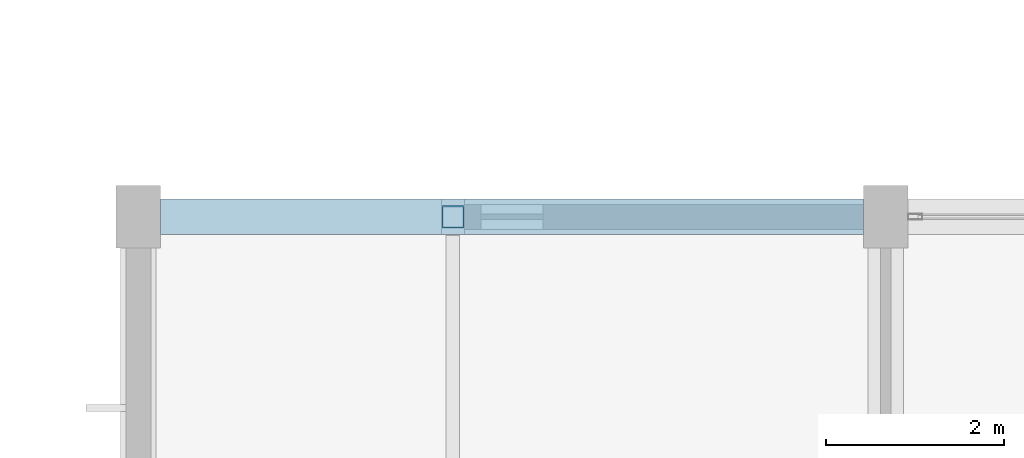
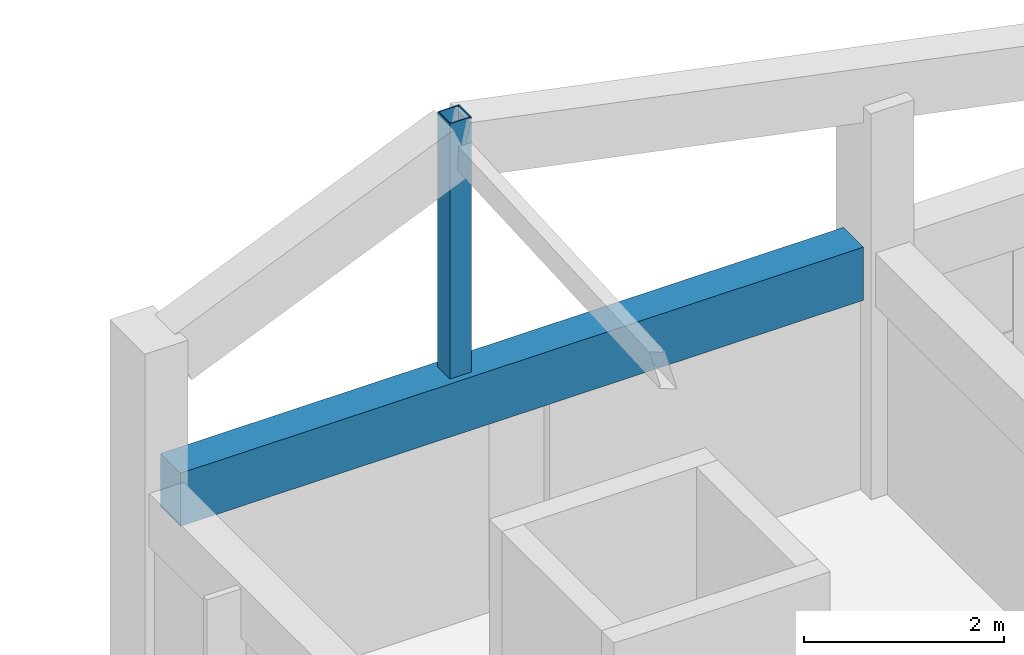
# One storey, part 11 of 127: 1 beam, 1 member.
"""IFC4 building model written with IfcOpenShell, lengths in metres."""

from ifc_helpers import new_model, si_unit, direction, frame, origin, origin_2d, place, context, subcontext, project, spatial, rectangle, hollow_rectangle, extrude, material, material_profile, profile_set, type_object, element, save


model = new_model("IFC4")

# Units and contexts
model_context = context("Model", 3, precision=1e-05, world=origin(), true_north=direction((0.0, 1.0)))
body_context = subcontext(model_context, "Body", "Model", "MODEL_VIEW")
ifc_project = project(units=[si_unit("LENGTHUNIT", "METRE"), si_unit("AREAUNIT", "SQUARE_METRE"), si_unit("VOLUMEUNIT", "CUBIC_METRE"), si_unit("PLANEANGLEUNIT", "RADIAN"), si_unit("MASSUNIT", "GRAM", prefix="KILO")], contexts=[model_context])

# Site, building, storey
site_placement = place(None, origin())
site = spatial("IfcSite", under=ifc_project, at=site_placement, CompositionType="ELEMENT")
building_placement = place(site_placement, origin())
building = spatial("IfcBuilding", under=site, at=building_placement, Name="Kestramere Prow Commons", CompositionType="ELEMENT")
storey_placement = place(building_placement, frame((0.0, 0.0, 8.39990234375)))
storey = spatial("IfcBuildingStorey", under=building, at=storey_placement, Name="L02", CompositionType="ELEMENT", Elevation=8.39990234375)

# Beam
ifc_material_1 = material(Name="Precast concrete C40/50", Category="concrete")
ifc_material_profile_1 = material_profile(ifc_material_1, rectangle(XDim=0.39990234375, YDim=0.64990234375, at=origin_2d()), Name="PC-BM 400x650")
ifc_profile_set_1 = profile_set([ifc_material_profile_1], Name="Precast concrete C40/50")
beam_type = type_object("IfcBeamType", Name="BM-MK-01 PC-BM 400x650 (EX)", PredefinedType="BEAM", material=ifc_profile_set_1)
beam_placement = place(storey_placement, frame((60.25, 24.0, 2.675048828125), z_axis=(1.0, 0.0, 0.0), x_axis=(0.0, 1.0, 0.0)))
element("IfcBeam", 1, at=beam_placement, inside=storey, type_object=beam_type, Name="Market Spine L02 Beam X 3-1", PredefinedType="BEAM", context=body_context, shape_type="SweptSolid", body=[
    extrude(rectangle(XDim=0.39990234375, YDim=0.64990234375, at=origin_2d()), origin(), (0.0, 0.0, 1.0), 7.89990234375),
])

# Member
ifc_material_2 = material(Name="Steel S355JR", Category="steel")
ifc_material_profile_2 = material_profile(ifc_material_2, hollow_rectangle(XDim=0.25, YDim=0.25, WallThickness=0.012451171875, at=origin_2d()), Name="SHS 250x250x12.5")
ifc_profile_set_2 = profile_set([ifc_material_profile_2], Name="Steel S355JR")
member_type = type_object("IfcMemberType", Name="BRAPX-01 SHS 250x250x12.5", PredefinedType="BRACE", material=ifc_profile_set_2)
member_placement = place(storey_placement, frame((63.535888671875, 24.0, 2.675048828125), z_axis=(0.0, 0.0, 1.0), x_axis=(1.0, 0.0, 0.0)))
element("IfcMember", 2, at=member_placement, inside=storey, type_object=member_type, Name="Market Folded Gable Diagonal Brace 1-24", PredefinedType="BRACE", context=body_context, shape_type="SweptSolid", body=[
    extrude(hollow_rectangle(XDim=0.25, YDim=0.25, WallThickness=0.012451171875, at=origin_2d()), origin(), (0.0, 0.0, 1.0), 3.445068359375),
])

save(model, "model.ifc")
